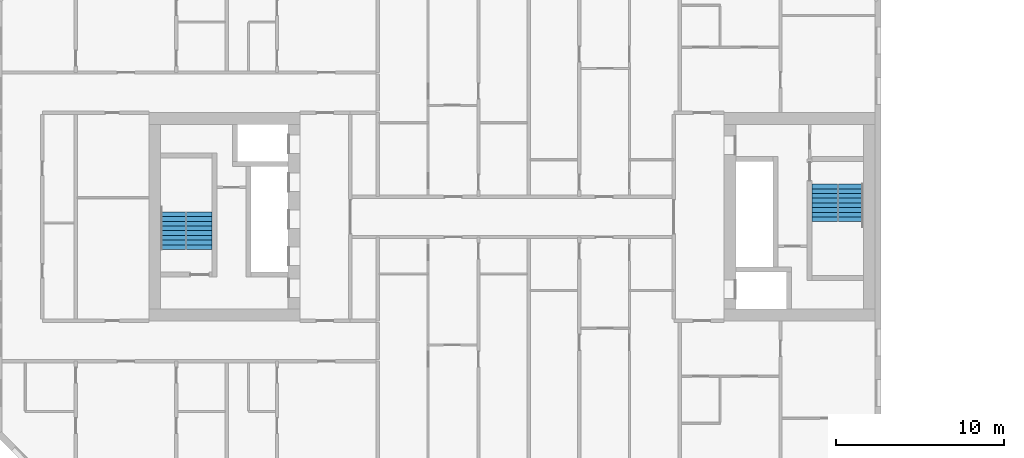
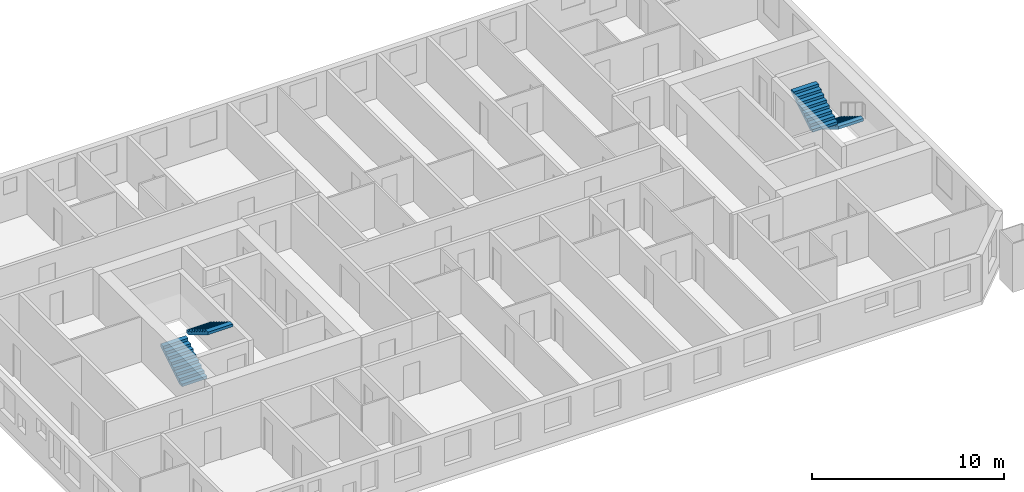
# One storey, part 16 of 17: 4 stair flights, 2 elements without a shape of their own.
"""IFC4 building model written with IfcOpenShell, lengths in metres."""

from ifc_helpers import new_model, si_unit, direction, frame, origin, place, context, subcontext, project, spatial, faceted_brep, material, type_object, element, aggregate, save


model = new_model("IFC4")

# Units and contexts
model_context = context("Model", 3, precision=1e-05, world=origin(), true_north=direction((0.0, 1.0)))
body_context = subcontext(model_context, "Body", "Model", "MODEL_VIEW")
ifc_project = project(units=[si_unit("LENGTHUNIT", "METRE"), si_unit("AREAUNIT", "SQUARE_METRE"), si_unit("VOLUMEUNIT", "CUBIC_METRE"), si_unit("PLANEANGLEUNIT", "RADIAN"), si_unit("MASSUNIT", "GRAM", prefix="KILO")], contexts=[model_context])

# Site, building, storey
site_placement = place(None, origin())
site = spatial("IfcSite", under=ifc_project, at=site_placement, CompositionType="ELEMENT")
building_placement = place(site_placement, origin())
building = spatial("IfcBuilding", under=site, at=building_placement, Name="Tuart Gate Housing", CompositionType="ELEMENT")
storey_placement = place(building_placement, frame((0.0, 0.0, 74.699951171875)))
storey = spatial("IfcBuildingStorey", under=building, at=storey_placement, Name="L20", CompositionType="ELEMENT", Elevation=74.699951171875)

# Stair, stair flights
ifc_material_1 = material(Name="Concrete C40", Category="concrete")
stair_type = type_object("IfcStairType", Name="Core stair 1500", PredefinedType="HALF_TURN_STAIR", material=ifc_material_1)
stair_1_placement = place(storey_placement, origin())
stair_1 = element("IfcStair", 1, at=stair_1_placement, inside=storey, type_object=stair_type, Name="Stair SA1", PredefinedType="HALF_TURN_STAIR")
ifc_material_2 = material(Name="Concrete C40", Category="concrete")
stair_flight_type = type_object("IfcStairFlightType", Name="Stair flight 1500, 9 risers 172 x 280", PredefinedType="STRAIGHT", material=ifc_material_2)
stair_flight_1_placement = place(storey_placement, frame((74.18994140625, 71.949951171875, 0.0), z_axis=(0.0, 0.0, 1.0), x_axis=(0.0, -1.0, 0.0)))
stair_flight_1 = element("IfcStairFlight", 2, at=stair_flight_1_placement, type_object=stair_flight_type, Name="SA1 flight 1", NumberOfRisers=9, NumberOfTreads=8, PredefinedType="STRAIGHT", RiserHeight=0.172222222, TreadLength=0.28, context=body_context, shape_type="Brep", body=[
    faceted_brep([(0.0, 0.75, 0.0), (0.0, 0.75, 0.172119140625), (0.280029296875, 0.75, 0.172119140625), (0.280029296875, 0.75, 0.344482421875), (0.56005859375, 0.75, 0.344482421875), (0.56005859375, 0.75, 0.5166015625), (0.840087890625, 0.75, 0.5166015625), (0.840087890625, 0.75, 0.68896484375), (1.1201171875, 0.75, 0.68896484375), (1.1201171875, 0.75, 0.861083984375), (1.39990234375, 0.75, 0.861083984375), (1.39990234375, 0.75, 1.033447265625), (1.679931640625, 0.75, 1.033447265625), (1.679931640625, 0.75, 1.20556640625), (1.9599609375, 0.75, 1.20556640625), (1.9599609375, 0.75, 1.377685546875), (2.239990234375, 0.75, 1.377685546875), (2.239990234375, 0.75, 1.201904296875), (0.2861328125, 0.75, 0.0), (0.2861328125, -0.75, 0.0), (2.239990234375, -0.75, 1.201904296875), (2.239990234375, -0.75, 1.377685546875), (1.9599609375, -0.75, 1.377685546875), (1.9599609375, -0.75, 1.20556640625), (1.679931640625, -0.75, 1.20556640625), (1.679931640625, -0.75, 1.033447265625), (1.39990234375, -0.75, 1.033447265625), (1.39990234375, -0.75, 0.861083984375), (1.1201171875, -0.75, 0.861083984375), (1.1201171875, -0.75, 0.68896484375), (0.840087890625, -0.75, 0.68896484375), (0.840087890625, -0.75, 0.5166015625), (0.56005859375, -0.75, 0.5166015625), (0.56005859375, -0.75, 0.344482421875), (0.280029296875, -0.75, 0.344482421875), (0.280029296875, -0.75, 0.172119140625), (0.0, -0.75, 0.172119140625), (0.0, -0.75, 0.0), (2.239990234375, 0.0, 1.201904296875), (0.2861328125, 0.0, 0.0), (2.239990234375, 0.0, 1.377685546875), (1.9599609375, 0.0, 1.377685546875), (1.9599609375, 0.0, 1.20556640625), (1.679931640625, 0.0, 1.20556640625), (1.679931640625, 0.0, 1.033447265625), (1.39990234375, 0.0, 1.033447265625), (1.39990234375, 0.0, 0.861083984375), (1.1201171875, 0.0, 0.861083984375), (1.1201171875, 0.0, 0.68896484375), (0.840087890625, 0.0, 0.68896484375), (0.840087890625, 0.0, 0.5166015625), (0.56005859375, 0.0, 0.5166015625), (0.56005859375, 0.0, 0.344482421875), (0.280029296875, 0.0, 0.344482421875), (0.280029296875, 0.0, 0.172119140625), (0.0, 0.0, 0.172119140625), (0.0, 0.0, 0.0)], [[[0, 1, 2, 3, 4, 5, 6, 7, 8, 9, 10, 11, 12, 13, 14, 15, 16, 17, 18]], [[19, 20, 21, 22, 23, 24, 25, 26, 27, 28, 29, 30, 31, 32, 33, 34, 35, 36, 37]], [[18, 17, 38, 39]], [[39, 38, 20, 19]], [[17, 16, 40, 38]], [[38, 40, 21, 20]], [[16, 15, 41, 40]], [[40, 41, 22, 21]], [[15, 14, 42, 41]], [[41, 42, 23, 22]], [[14, 13, 43, 42]], [[42, 43, 24, 23]], [[13, 12, 44, 43]], [[43, 44, 25, 24]], [[12, 11, 45, 44]], [[44, 45, 26, 25]], [[11, 10, 46, 45]], [[45, 46, 27, 26]], [[10, 9, 47, 46]], [[46, 47, 28, 27]], [[9, 8, 48, 47]], [[47, 48, 29, 28]], [[8, 7, 49, 48]], [[48, 49, 30, 29]], [[7, 6, 50, 49]], [[49, 50, 31, 30]], [[6, 5, 51, 50]], [[50, 51, 32, 31]], [[5, 4, 52, 51]], [[51, 52, 33, 32]], [[4, 3, 53, 52]], [[52, 53, 34, 33]], [[3, 2, 54, 53]], [[53, 54, 35, 34]], [[2, 1, 55, 54]], [[54, 55, 36, 35]], [[1, 0, 56, 55]], [[55, 56, 37, 36]], [[0, 18, 39, 56]], [[56, 39, 19, 37]]]),
])
stair_flight_2_placement = place(storey_placement, frame((72.639892578125, 69.7099609375, 1.550048828125), z_axis=(0.0, 0.0, 1.0), x_axis=(0.0, 1.0, 0.0)))
stair_flight_2 = element("IfcStairFlight", 3, at=stair_flight_2_placement, type_object=stair_flight_type, Name="SA1 flight 2", NumberOfRisers=9, NumberOfTreads=8, PredefinedType="STRAIGHT", RiserHeight=0.172222222, TreadLength=0.28, context=body_context, shape_type="Brep", body=[
    faceted_brep([(0.0, 0.75, 0.0), (0.0, 0.75, 0.172119140625), (0.280029296875, 0.75, 0.172119140625), (0.280029296875, 0.75, 0.344482421875), (0.56005859375, 0.75, 0.344482421875), (0.56005859375, 0.75, 0.5166015625), (0.840087890625, 0.75, 0.5166015625), (0.840087890625, 0.75, 0.68896484375), (1.1201171875, 0.75, 0.68896484375), (1.1201171875, 0.75, 0.861083984375), (1.39990234375, 0.75, 0.861083984375), (1.39990234375, 0.75, 1.033447265625), (1.679931640625, 0.75, 1.033447265625), (1.679931640625, 0.75, 1.20556640625), (1.9599609375, 0.75, 1.20556640625), (1.9599609375, 0.75, 1.377685546875), (2.239990234375, 0.75, 1.377685546875), (2.239990234375, 0.75, 1.201904296875), (0.2861328125, 0.75, 0.0), (0.2861328125, -0.75, 0.0), (2.239990234375, -0.75, 1.201904296875), (2.239990234375, -0.75, 1.377685546875), (1.9599609375, -0.75, 1.377685546875), (1.9599609375, -0.75, 1.20556640625), (1.679931640625, -0.75, 1.20556640625), (1.679931640625, -0.75, 1.033447265625), (1.39990234375, -0.75, 1.033447265625), (1.39990234375, -0.75, 0.861083984375), (1.1201171875, -0.75, 0.861083984375), (1.1201171875, -0.75, 0.68896484375), (0.840087890625, -0.75, 0.68896484375), (0.840087890625, -0.75, 0.5166015625), (0.56005859375, -0.75, 0.5166015625), (0.56005859375, -0.75, 0.344482421875), (0.280029296875, -0.75, 0.344482421875), (0.280029296875, -0.75, 0.172119140625), (0.0, -0.75, 0.172119140625), (0.0, -0.75, 0.0), (2.239990234375, 0.0, 1.201904296875), (0.2861328125, 0.0, 0.0), (2.239990234375, 0.0, 1.377685546875), (1.9599609375, 0.0, 1.377685546875), (1.9599609375, 0.0, 1.20556640625), (1.679931640625, 0.0, 1.20556640625), (1.679931640625, 0.0, 1.033447265625), (1.39990234375, 0.0, 1.033447265625), (1.39990234375, 0.0, 0.861083984375), (1.1201171875, 0.0, 0.861083984375), (1.1201171875, 0.0, 0.68896484375), (0.840087890625, 0.0, 0.68896484375), (0.840087890625, 0.0, 0.5166015625), (0.56005859375, 0.0, 0.5166015625), (0.56005859375, 0.0, 0.344482421875), (0.280029296875, 0.0, 0.344482421875), (0.280029296875, 0.0, 0.172119140625), (0.0, 0.0, 0.172119140625), (0.0, 0.0, 0.0)], [[[0, 1, 2, 3, 4, 5, 6, 7, 8, 9, 10, 11, 12, 13, 14, 15, 16, 17, 18]], [[19, 20, 21, 22, 23, 24, 25, 26, 27, 28, 29, 30, 31, 32, 33, 34, 35, 36, 37]], [[18, 17, 38, 39]], [[39, 38, 20, 19]], [[17, 16, 40, 38]], [[38, 40, 21, 20]], [[16, 15, 41, 40]], [[40, 41, 22, 21]], [[15, 14, 42, 41]], [[41, 42, 23, 22]], [[14, 13, 43, 42]], [[42, 43, 24, 23]], [[13, 12, 44, 43]], [[43, 44, 25, 24]], [[12, 11, 45, 44]], [[44, 45, 26, 25]], [[11, 10, 46, 45]], [[45, 46, 27, 26]], [[10, 9, 47, 46]], [[46, 47, 28, 27]], [[9, 8, 48, 47]], [[47, 48, 29, 28]], [[8, 7, 49, 48]], [[48, 49, 30, 29]], [[7, 6, 50, 49]], [[49, 50, 31, 30]], [[6, 5, 51, 50]], [[50, 51, 32, 31]], [[5, 4, 52, 51]], [[51, 52, 33, 32]], [[4, 3, 53, 52]], [[52, 53, 34, 33]], [[3, 2, 54, 53]], [[53, 54, 35, 34]], [[2, 1, 55, 54]], [[54, 55, 36, 35]], [[1, 0, 56, 55]], [[55, 56, 37, 36]], [[0, 18, 39, 56]], [[56, 39, 19, 37]]]),
])
aggregate(stair_1, [stair_flight_1, stair_flight_2])

stair_2_placement = place(storey_placement, origin())
stair_2 = element("IfcStair", 4, at=stair_2_placement, inside=storey, type_object=stair_type, Name="Stair SA2", PredefinedType="HALF_TURN_STAIR")
stair_flight_3_placement = place(storey_placement, frame((33.81005859375, 68.050048828125, 0.0), z_axis=(0.0, 0.0, 1.0), x_axis=(0.0, 1.0, 0.0)))
stair_flight_3 = element("IfcStairFlight", 5, at=stair_flight_3_placement, type_object=stair_flight_type, Name="SA2 flight 1", NumberOfRisers=9, NumberOfTreads=8, PredefinedType="STRAIGHT", RiserHeight=0.172222222, TreadLength=0.28, context=body_context, shape_type="Brep", body=[
    faceted_brep([(0.0, 0.75, 0.0), (0.0, 0.75, 0.172119140625), (0.280029296875, 0.75, 0.172119140625), (0.280029296875, 0.75, 0.344482421875), (0.56005859375, 0.75, 0.344482421875), (0.56005859375, 0.75, 0.5166015625), (0.840087890625, 0.75, 0.5166015625), (0.840087890625, 0.75, 0.68896484375), (1.1201171875, 0.75, 0.68896484375), (1.1201171875, 0.75, 0.861083984375), (1.39990234375, 0.75, 0.861083984375), (1.39990234375, 0.75, 1.033447265625), (1.679931640625, 0.75, 1.033447265625), (1.679931640625, 0.75, 1.20556640625), (1.9599609375, 0.75, 1.20556640625), (1.9599609375, 0.75, 1.377685546875), (2.239990234375, 0.75, 1.377685546875), (2.239990234375, 0.75, 1.201904296875), (0.2861328125, 0.75, 0.0), (0.2861328125, -0.75, 0.0), (2.239990234375, -0.75, 1.201904296875), (2.239990234375, -0.75, 1.377685546875), (1.9599609375, -0.75, 1.377685546875), (1.9599609375, -0.75, 1.20556640625), (1.679931640625, -0.75, 1.20556640625), (1.679931640625, -0.75, 1.033447265625), (1.39990234375, -0.75, 1.033447265625), (1.39990234375, -0.75, 0.861083984375), (1.1201171875, -0.75, 0.861083984375), (1.1201171875, -0.75, 0.68896484375), (0.840087890625, -0.75, 0.68896484375), (0.840087890625, -0.75, 0.5166015625), (0.56005859375, -0.75, 0.5166015625), (0.56005859375, -0.75, 0.344482421875), (0.280029296875, -0.75, 0.344482421875), (0.280029296875, -0.75, 0.172119140625), (0.0, -0.75, 0.172119140625), (0.0, -0.75, 0.0), (2.239990234375, 0.0, 1.201904296875), (0.2861328125, 0.0, 0.0), (2.239990234375, 0.0, 1.377685546875), (1.9599609375, 0.0, 1.377685546875), (1.9599609375, 0.0, 1.20556640625), (1.679931640625, 0.0, 1.20556640625), (1.679931640625, 0.0, 1.033447265625), (1.39990234375, 0.0, 1.033447265625), (1.39990234375, 0.0, 0.861083984375), (1.1201171875, 0.0, 0.861083984375), (1.1201171875, 0.0, 0.68896484375), (0.840087890625, 0.0, 0.68896484375), (0.840087890625, 0.0, 0.5166015625), (0.56005859375, 0.0, 0.5166015625), (0.56005859375, 0.0, 0.344482421875), (0.280029296875, 0.0, 0.344482421875), (0.280029296875, 0.0, 0.172119140625), (0.0, 0.0, 0.172119140625), (0.0, 0.0, 0.0)], [[[0, 1, 2, 3, 4, 5, 6, 7, 8, 9, 10, 11, 12, 13, 14, 15, 16, 17, 18]], [[19, 20, 21, 22, 23, 24, 25, 26, 27, 28, 29, 30, 31, 32, 33, 34, 35, 36, 37]], [[18, 17, 38, 39]], [[39, 38, 20, 19]], [[17, 16, 40, 38]], [[38, 40, 21, 20]], [[16, 15, 41, 40]], [[40, 41, 22, 21]], [[15, 14, 42, 41]], [[41, 42, 23, 22]], [[14, 13, 43, 42]], [[42, 43, 24, 23]], [[13, 12, 44, 43]], [[43, 44, 25, 24]], [[12, 11, 45, 44]], [[44, 45, 26, 25]], [[11, 10, 46, 45]], [[45, 46, 27, 26]], [[10, 9, 47, 46]], [[46, 47, 28, 27]], [[9, 8, 48, 47]], [[47, 48, 29, 28]], [[8, 7, 49, 48]], [[48, 49, 30, 29]], [[7, 6, 50, 49]], [[49, 50, 31, 30]], [[6, 5, 51, 50]], [[50, 51, 32, 31]], [[5, 4, 52, 51]], [[51, 52, 33, 32]], [[4, 3, 53, 52]], [[52, 53, 34, 33]], [[3, 2, 54, 53]], [[53, 54, 35, 34]], [[2, 1, 55, 54]], [[54, 55, 36, 35]], [[1, 0, 56, 55]], [[55, 56, 37, 36]], [[0, 18, 39, 56]], [[56, 39, 19, 37]]]),
])
stair_flight_4_placement = place(storey_placement, frame((35.360107421875, 70.2900390625, 1.550048828125), z_axis=(0.0, 0.0, 1.0), x_axis=(0.0, -1.0, 0.0)))
stair_flight_4 = element("IfcStairFlight", 6, at=stair_flight_4_placement, type_object=stair_flight_type, Name="SA2 flight 2", NumberOfRisers=9, NumberOfTreads=8, PredefinedType="STRAIGHT", RiserHeight=0.172222222, TreadLength=0.28, context=body_context, shape_type="Brep", body=[
    faceted_brep([(0.0, 0.75, 0.0), (0.0, 0.75, 0.172119140625), (0.280029296875, 0.75, 0.172119140625), (0.280029296875, 0.75, 0.344482421875), (0.56005859375, 0.75, 0.344482421875), (0.56005859375, 0.75, 0.5166015625), (0.840087890625, 0.75, 0.5166015625), (0.840087890625, 0.75, 0.68896484375), (1.1201171875, 0.75, 0.68896484375), (1.1201171875, 0.75, 0.861083984375), (1.39990234375, 0.75, 0.861083984375), (1.39990234375, 0.75, 1.033447265625), (1.679931640625, 0.75, 1.033447265625), (1.679931640625, 0.75, 1.20556640625), (1.9599609375, 0.75, 1.20556640625), (1.9599609375, 0.75, 1.377685546875), (2.239990234375, 0.75, 1.377685546875), (2.239990234375, 0.75, 1.201904296875), (0.2861328125, 0.75, 0.0), (0.2861328125, -0.75, 0.0), (2.239990234375, -0.75, 1.201904296875), (2.239990234375, -0.75, 1.377685546875), (1.9599609375, -0.75, 1.377685546875), (1.9599609375, -0.75, 1.20556640625), (1.679931640625, -0.75, 1.20556640625), (1.679931640625, -0.75, 1.033447265625), (1.39990234375, -0.75, 1.033447265625), (1.39990234375, -0.75, 0.861083984375), (1.1201171875, -0.75, 0.861083984375), (1.1201171875, -0.75, 0.68896484375), (0.840087890625, -0.75, 0.68896484375), (0.840087890625, -0.75, 0.5166015625), (0.56005859375, -0.75, 0.5166015625), (0.56005859375, -0.75, 0.344482421875), (0.280029296875, -0.75, 0.344482421875), (0.280029296875, -0.75, 0.172119140625), (0.0, -0.75, 0.172119140625), (0.0, -0.75, 0.0), (2.239990234375, 0.0, 1.201904296875), (0.2861328125, 0.0, 0.0), (2.239990234375, 0.0, 1.377685546875), (1.9599609375, 0.0, 1.377685546875), (1.9599609375, 0.0, 1.20556640625), (1.679931640625, 0.0, 1.20556640625), (1.679931640625, 0.0, 1.033447265625), (1.39990234375, 0.0, 1.033447265625), (1.39990234375, 0.0, 0.861083984375), (1.1201171875, 0.0, 0.861083984375), (1.1201171875, 0.0, 0.68896484375), (0.840087890625, 0.0, 0.68896484375), (0.840087890625, 0.0, 0.5166015625), (0.56005859375, 0.0, 0.5166015625), (0.56005859375, 0.0, 0.344482421875), (0.280029296875, 0.0, 0.344482421875), (0.280029296875, 0.0, 0.172119140625), (0.0, 0.0, 0.172119140625), (0.0, 0.0, 0.0)], [[[0, 1, 2, 3, 4, 5, 6, 7, 8, 9, 10, 11, 12, 13, 14, 15, 16, 17, 18]], [[19, 20, 21, 22, 23, 24, 25, 26, 27, 28, 29, 30, 31, 32, 33, 34, 35, 36, 37]], [[18, 17, 38, 39]], [[39, 38, 20, 19]], [[17, 16, 40, 38]], [[38, 40, 21, 20]], [[16, 15, 41, 40]], [[40, 41, 22, 21]], [[15, 14, 42, 41]], [[41, 42, 23, 22]], [[14, 13, 43, 42]], [[42, 43, 24, 23]], [[13, 12, 44, 43]], [[43, 44, 25, 24]], [[12, 11, 45, 44]], [[44, 45, 26, 25]], [[11, 10, 46, 45]], [[45, 46, 27, 26]], [[10, 9, 47, 46]], [[46, 47, 28, 27]], [[9, 8, 48, 47]], [[47, 48, 29, 28]], [[8, 7, 49, 48]], [[48, 49, 30, 29]], [[7, 6, 50, 49]], [[49, 50, 31, 30]], [[6, 5, 51, 50]], [[50, 51, 32, 31]], [[5, 4, 52, 51]], [[51, 52, 33, 32]], [[4, 3, 53, 52]], [[52, 53, 34, 33]], [[3, 2, 54, 53]], [[53, 54, 35, 34]], [[2, 1, 55, 54]], [[54, 55, 36, 35]], [[1, 0, 56, 55]], [[55, 56, 37, 36]], [[0, 18, 39, 56]], [[56, 39, 19, 37]]]),
])
aggregate(stair_2, [stair_flight_3, stair_flight_4])

save(model, "model.ifc")
